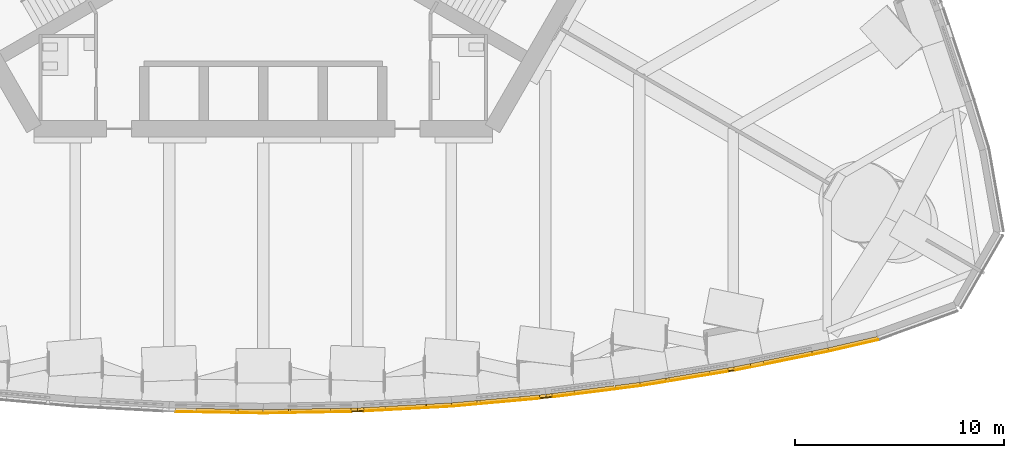
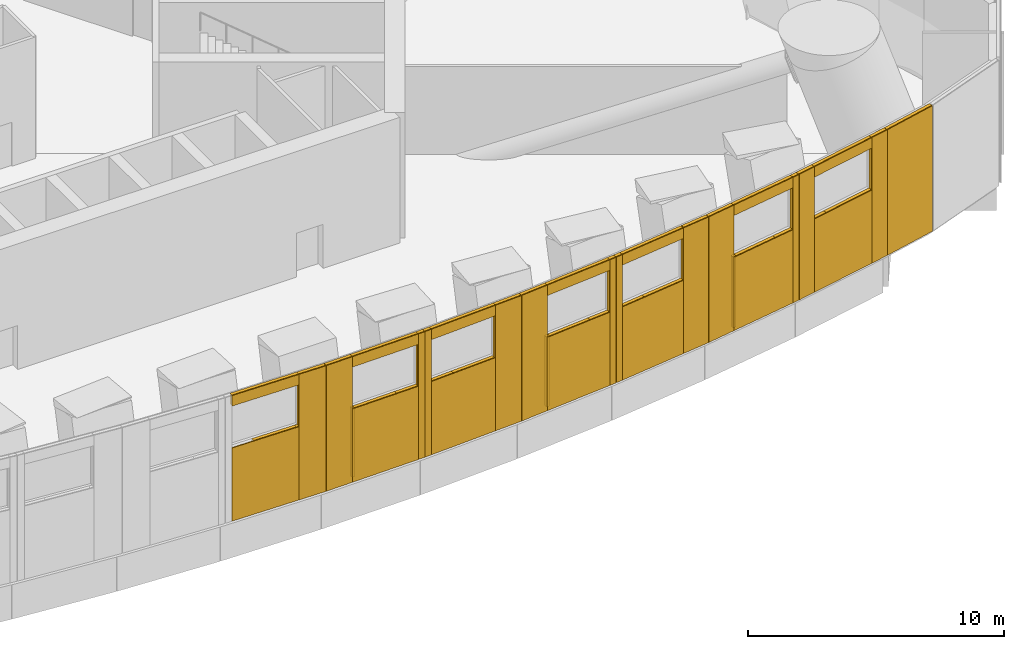
# One storey, part 14 of 25: 66 coverings.
"""IFC4 building model written with IfcOpenShell, lengths in metres."""

from ifc_helpers import new_model, si_unit, direction, frame, origin, origin_2d, place, context, subcontext, project, spatial, rectangle, extrude, material, layer, layer_set, type_object, element, save


model = new_model("IFC4")

# Units and contexts
model_context = context("Model", 3, precision=1e-05, world=origin(), true_north=direction((0.0, 1.0)))
body_context = subcontext(model_context, "Body", "Model", "MODEL_VIEW")
ifc_project = project(units=[si_unit("LENGTHUNIT", "METRE"), si_unit("AREAUNIT", "SQUARE_METRE"), si_unit("VOLUMEUNIT", "CUBIC_METRE"), si_unit("PLANEANGLEUNIT", "RADIAN"), si_unit("MASSUNIT", "GRAM", prefix="KILO")], contexts=[model_context])

# Site, building, storey
site_placement = place(None, origin())
site = spatial("IfcSite", under=ifc_project, at=site_placement, CompositionType="ELEMENT")
building_placement = place(site_placement, origin())
building = spatial("IfcBuilding", under=site, at=building_placement, Name="Trefoil Bronze Tower", CompositionType="ELEMENT")
storey_placement = place(building_placement, frame((0.0, 0.0, 178.699951171875)))
storey = spatial("IfcBuildingStorey", under=building, at=storey_placement, Name="L41", CompositionType="ELEMENT", Elevation=178.699951171875)

# Coverings
ifc_material_1 = material(Name="Bronze-finish aluminium rainscreen panel on aluminium rails", Category="aluminium")
ifc_layer_1 = layer(ifc_material_1, 0.0400390625)
ifc_layer_set_1 = layer_set([ifc_layer_1], Name="Bronze cladding panel 40")
covering_type_1 = type_object("IfcCoveringType", Name="Bronze cladding panel 40", PredefinedType="CLADDING", material=ifc_layer_set_1)
covering_1_placement = place(storey_placement, frame((-0.60595703125, -26.60888671875, 0.0), z_axis=(0.0, 0.0, 1.0), x_axis=(0.999837609324, -0.018020959525, 0.0)))
element("IfcCovering", 1, at=covering_1_placement, inside=storey, type_object=covering_type_1, Name="Cladding panel L41 Face 1.7 piece 2", PredefinedType="CLADDING", context=body_context, shape_type="SweptSolid", body=[
    extrude(rectangle(XDim=1.20068359375, YDim=0.0400390625, at=origin_2d()), origin(), (0.0, 0.0, 1.0), 6.0),
])
covering_2_placement = place(storey_placement, frame((-2.7060546875, -26.571044921875, 0.0), z_axis=(0.0, 0.0, 1.0), x_axis=(0.999837609324, -0.018020959525, 0.0)))
element("IfcCovering", 2, at=covering_2_placement, inside=storey, type_object=covering_type_1, Name="Cladding panel L41 Face 1.7 piece 3", PredefinedType="CLADDING", context=body_context, shape_type="SweptSolid", body=[
    extrude(rectangle(XDim=3.0, YDim=0.0400390625, at=origin_2d()), origin(), (0.0, 0.0, 1.0), 3.5),
])
covering_3_placement = place(storey_placement, frame((-2.7060546875, -26.571044921875, 5.5), z_axis=(0.0, 0.0, 1.0), x_axis=(0.999837609324, -0.018020959525, 0.0)))
element("IfcCovering", 3, at=covering_3_placement, inside=storey, type_object=covering_type_1, Name="Cladding panel L41 Face 1.7 piece 4", PredefinedType="CLADDING", context=body_context, shape_type="SweptSolid", body=[
    extrude(rectangle(XDim=3.0, YDim=0.0400390625, at=origin_2d()), origin(), (0.0, 0.0, 1.0), 0.5),
])
covering_4_placement = place(storey_placement, frame((0.60595703125, -26.60888671875, 0.0), z_axis=(0.0, 0.0, 1.0), x_axis=(0.999837609324, 0.018020959525, 0.0)))
element("IfcCovering", 4, at=covering_4_placement, inside=storey, type_object=covering_type_1, Name="Cladding panel L41 Face 1.8 piece 1", PredefinedType="CLADDING", context=body_context, shape_type="SweptSolid", body=[
    extrude(rectangle(XDim=1.20068359375, YDim=0.0400390625, at=origin_2d()), origin(), (0.0, 0.0, 1.0), 6.0),
])
covering_5_placement = place(storey_placement, frame((4.355712890625, -26.541259765625, 0.0), z_axis=(0.0, 0.0, 1.0), x_axis=(0.999837609324, 0.018020959525, 0.0)))
element("IfcCovering", 5, at=covering_5_placement, inside=storey, type_object=covering_type_1, Name="Cladding panel L41 Face 1.8 piece 2", PredefinedType="CLADDING", context=body_context, shape_type="SweptSolid", body=[
    extrude(rectangle(XDim=0.300048828125, YDim=0.0400390625, at=origin_2d()), origin(), (0.0, 0.0, 1.0), 6.0),
])
covering_6_placement = place(storey_placement, frame((2.7060546875, -26.571044921875, 0.0), z_axis=(0.0, 0.0, 1.0), x_axis=(0.999837609324, 0.018020959525, 0.0)))
element("IfcCovering", 6, at=covering_6_placement, inside=storey, type_object=covering_type_1, Name="Cladding panel L41 Face 1.8 piece 3", PredefinedType="CLADDING", context=body_context, shape_type="SweptSolid", body=[
    extrude(rectangle(XDim=3.0, YDim=0.0400390625, at=origin_2d()), origin(), (0.0, 0.0, 1.0), 3.5),
])
covering_7_placement = place(storey_placement, frame((2.7060546875, -26.571044921875, 5.5), z_axis=(0.0, 0.0, 1.0), x_axis=(0.999837609324, 0.018020959525, 0.0)))
element("IfcCovering", 7, at=covering_7_placement, inside=storey, type_object=covering_type_1, Name="Cladding panel L41 Face 1.8 piece 4", PredefinedType="CLADDING", context=body_context, shape_type="SweptSolid", body=[
    extrude(rectangle(XDim=3.0, YDim=0.0400390625, at=origin_2d()), origin(), (0.0, 0.0, 1.0), 0.5),
])
covering_8_placement = place(storey_placement, frame((4.6669921875, -26.530029296875, 0.0), z_axis=(0.0, 0.0, 1.0), x_axis=(0.998537531917, 0.054062901823, 0.0)))
element("IfcCovering", 8, at=covering_8_placement, inside=storey, type_object=covering_type_1, Name="Cladding panel L41 Face 1.9 piece 1", PredefinedType="CLADDING", context=body_context, shape_type="SweptSolid", body=[
    extrude(rectangle(XDim=0.300048828125, YDim=0.0400390625, at=origin_2d()), origin(), (0.0, 0.0, 1.0), 6.0),
])
covering_9_placement = place(storey_placement, frame((8.414794921875, -26.3271484375, 0.0), z_axis=(0.0, 0.0, 1.0), x_axis=(0.998537531917, 0.054062901823, 0.0)))
element("IfcCovering", 9, at=covering_9_placement, inside=storey, type_object=covering_type_1, Name="Cladding panel L41 Face 1.9 piece 2", PredefinedType="CLADDING", context=body_context, shape_type="SweptSolid", body=[
    extrude(rectangle(XDim=1.20654296875, YDim=0.0400390625, at=origin_2d()), origin(), (0.0, 0.0, 1.0), 6.0),
])
covering_10_placement = place(storey_placement, frame((6.314697265625, -26.440673828125, 0.0), z_axis=(0.0, 0.0, 1.0), x_axis=(0.998537531917, 0.054062901823, 0.0)))
element("IfcCovering", 10, at=covering_10_placement, inside=storey, type_object=covering_type_1, Name="Cladding panel L41 Face 1.9 piece 3", PredefinedType="CLADDING", context=body_context, shape_type="SweptSolid", body=[
    extrude(rectangle(XDim=3.0, YDim=0.0400390625, at=origin_2d()), origin(), (0.0, 0.0, 1.0), 3.5),
])
covering_11_placement = place(storey_placement, frame((6.314697265625, -26.440673828125, 5.5), z_axis=(0.0, 0.0, 1.0), x_axis=(0.998537531917, 0.054062901823, 0.0)))
element("IfcCovering", 11, at=covering_11_placement, inside=storey, type_object=covering_type_1, Name="Cladding panel L41 Face 1.9 piece 4", PredefinedType="CLADDING", context=body_context, shape_type="SweptSolid", body=[
    extrude(rectangle(XDim=3.0, YDim=0.0400390625, at=origin_2d()), origin(), (0.0, 0.0, 1.0), 0.5),
])
covering_12_placement = place(storey_placement, frame((9.635498046875, -26.23876953125, 0.0), z_axis=(0.0, 0.0, 1.0), x_axis=(0.995932279157, 0.090104912923, 0.0)))
element("IfcCovering", 12, at=covering_12_placement, inside=storey, type_object=covering_type_1, Name="Cladding panel L41 Face 1.10 piece 1", PredefinedType="CLADDING", context=body_context, shape_type="SweptSolid", body=[
    extrude(rectangle(XDim=1.21826171875, YDim=0.0400390625, at=origin_2d()), origin(), (0.0, 0.0, 1.0), 6.0),
])
covering_13_placement = place(storey_placement, frame((13.37939453125, -25.89990234375, 0.0), z_axis=(0.0, 0.0, 1.0), x_axis=(0.995932279157, 0.090104912923, 0.0)))
element("IfcCovering", 13, at=covering_13_placement, inside=storey, type_object=covering_type_1, Name="Cladding panel L41 Face 1.10 piece 2", PredefinedType="CLADDING", context=body_context, shape_type="SweptSolid", body=[
    extrude(rectangle(XDim=0.300048828125, YDim=0.0400390625, at=origin_2d()), origin(), (0.0, 0.0, 1.0), 6.0),
])
covering_14_placement = place(storey_placement, frame((11.736083984375, -26.048583984375, 0.0), z_axis=(0.0, 0.0, 1.0), x_axis=(0.995932279157, 0.090104912923, 0.0)))
element("IfcCovering", 14, at=covering_14_placement, inside=storey, type_object=covering_type_1, Name="Cladding panel L41 Face 1.10 piece 3", PredefinedType="CLADDING", context=body_context, shape_type="SweptSolid", body=[
    extrude(rectangle(XDim=3.0, YDim=0.0400390625, at=origin_2d()), origin(), (0.0, 0.0, 1.0), 3.5),
])
covering_15_placement = place(storey_placement, frame((11.736083984375, -26.048583984375, 5.5), z_axis=(0.0, 0.0, 1.0), x_axis=(0.995932279157, 0.090104912923, 0.0)))
element("IfcCovering", 15, at=covering_15_placement, inside=storey, type_object=covering_type_1, Name="Cladding panel L41 Face 1.10 piece 4", PredefinedType="CLADDING", context=body_context, shape_type="SweptSolid", body=[
    extrude(rectangle(XDim=3.0, YDim=0.0400390625, at=origin_2d()), origin(), (0.0, 0.0, 1.0), 0.5),
])
covering_16_placement = place(storey_placement, frame((13.689208984375, -25.8662109375, 0.0), z_axis=(0.0, 0.0, 1.0), x_axis=(0.992011554286, 0.126147041833, 0.0)))
element("IfcCovering", 16, at=covering_16_placement, inside=storey, type_object=covering_type_1, Name="Cladding panel L41 Face 1.11 piece 1", PredefinedType="CLADDING", context=body_context, shape_type="SweptSolid", body=[
    extrude(rectangle(XDim=0.300048828125, YDim=0.0400390625, at=origin_2d()), origin(), (0.0, 0.0, 1.0), 6.0),
])
covering_17_placement = place(storey_placement, frame((17.42724609375, -25.390869140625, 0.0), z_axis=(0.0, 0.0, 1.0), x_axis=(0.992011554286, 0.126147041833, 0.0)))
element("IfcCovering", 17, at=covering_17_placement, inside=storey, type_object=covering_type_1, Name="Cladding panel L41 Face 1.11 piece 2", PredefinedType="CLADDING", context=body_context, shape_type="SweptSolid", body=[
    extrude(rectangle(XDim=1.236328125, YDim=0.0400390625, at=origin_2d()), origin(), (0.0, 0.0, 1.0), 6.0),
])
covering_18_placement = place(storey_placement, frame((15.325927734375, -25.658203125, 0.0), z_axis=(0.0, 0.0, 1.0), x_axis=(0.992011554286, 0.126147041833, 0.0)))
element("IfcCovering", 18, at=covering_18_placement, inside=storey, type_object=covering_type_1, Name="Cladding panel L41 Face 1.11 piece 3", PredefinedType="CLADDING", context=body_context, shape_type="SweptSolid", body=[
    extrude(rectangle(XDim=3.0, YDim=0.0400390625, at=origin_2d()), origin(), (0.0, 0.0, 1.0), 3.5),
])
covering_19_placement = place(storey_placement, frame((15.325927734375, -25.658203125, 5.5), z_axis=(0.0, 0.0, 1.0), x_axis=(0.992011554286, 0.126147041833, 0.0)))
element("IfcCovering", 19, at=covering_19_placement, inside=storey, type_object=covering_type_1, Name="Cladding panel L41 Face 1.11 piece 4", PredefinedType="CLADDING", context=body_context, shape_type="SweptSolid", body=[
    extrude(rectangle(XDim=3.0, YDim=0.0400390625, at=origin_2d()), origin(), (0.0, 0.0, 1.0), 0.5),
])
covering_20_placement = place(storey_placement, frame((18.673828125, -25.209228515625, 0.0), z_axis=(0.0, 0.0, 1.0), x_axis=(0.98675965574, 0.162189339366, 0.0)))
element("IfcCovering", 20, at=covering_20_placement, inside=storey, type_object=covering_type_1, Name="Cladding panel L41 Face 1.12 piece 1", PredefinedType="CLADDING", context=body_context, shape_type="SweptSolid", body=[
    extrude(rectangle(XDim=1.260498046875, YDim=0.0400390625, at=origin_2d()), origin(), (0.0, 0.0, 1.0), 6.0),
])
covering_21_placement = place(storey_placement, frame((22.40380859375, -24.595947265625, 0.0), z_axis=(0.0, 0.0, 1.0), x_axis=(0.98675965574, 0.162189339366, 0.0)))
element("IfcCovering", 21, at=covering_21_placement, inside=storey, type_object=covering_type_1, Name="Cladding panel L41 Face 1.12 piece 2", PredefinedType="CLADDING", context=body_context, shape_type="SweptSolid", body=[
    extrude(rectangle(XDim=0.300048828125, YDim=0.0400390625, at=origin_2d()), origin(), (0.0, 0.0, 1.0), 6.0),
])
covering_22_placement = place(storey_placement, frame((20.775634765625, -24.863525390625, 0.0), z_axis=(0.0, 0.0, 1.0), x_axis=(0.98675965574, 0.162189339366, 0.0)))
element("IfcCovering", 22, at=covering_22_placement, inside=storey, type_object=covering_type_1, Name="Cladding panel L41 Face 1.12 piece 3", PredefinedType="CLADDING", context=body_context, shape_type="SweptSolid", body=[
    extrude(rectangle(XDim=3.0, YDim=0.0400390625, at=origin_2d()), origin(), (0.0, 0.0, 1.0), 3.5),
])
covering_23_placement = place(storey_placement, frame((20.775634765625, -24.863525390625, 5.5), z_axis=(0.0, 0.0, 1.0), x_axis=(0.98675965574, 0.162189339366, 0.0)))
element("IfcCovering", 23, at=covering_23_placement, inside=storey, type_object=covering_type_1, Name="Cladding panel L41 Face 1.12 piece 4", PredefinedType="CLADDING", context=body_context, shape_type="SweptSolid", body=[
    extrude(rectangle(XDim=3.0, YDim=0.0400390625, at=origin_2d()), origin(), (0.0, 0.0, 1.0), 0.5),
])
for number, where, z_axis, x_axis, name in (
    (24, (22.953369140625, -24.49072265625, 0.0), (0.0, 0.0, 1.0), (0.980155155537, 0.198231861904, 0.0), "Cladding panel L41 Face 1.13 piece 1"),
    (25, (26.673583984375, -23.73828125, 0.0), (0.0, 0.0, 1.0), (0.980155155537, 0.198231861904, 0.0), "Cladding panel L41 Face 1.13 piece 2"),
):
    element("IfcCovering", number, at=place(storey_placement, frame(where, z_axis=z_axis, x_axis=x_axis)), inside=storey, type_object=covering_type_1, Name=name, PredefinedType="CLADDING", context=body_context, shape_type="SweptSolid", body=[
        extrude(rectangle(XDim=0.795654296875, YDim=0.0400390625, at=origin_2d()), origin(), (0.0, 0.0, 1.0), 6.0),
    ])
covering_24_placement = place(storey_placement, frame((24.8134765625, -24.114501953125, 0.0), z_axis=(0.0, 0.0, 1.0), x_axis=(0.980155155537, 0.198231861904, 0.0)))
element("IfcCovering", 26, at=covering_24_placement, inside=storey, type_object=covering_type_1, Name="Cladding panel L41 Face 1.13 piece 3", PredefinedType="CLADDING", context=body_context, shape_type="SweptSolid", body=[
    extrude(rectangle(XDim=3.0, YDim=0.0400390625, at=origin_2d()), origin(), (0.0, 0.0, 1.0), 3.5),
])
covering_25_placement = place(storey_placement, frame((24.8134765625, -24.114501953125, 5.5), z_axis=(0.0, 0.0, 1.0), x_axis=(0.980155155537, 0.198231861904, 0.0)))
element("IfcCovering", 27, at=covering_25_placement, inside=storey, type_object=covering_type_1, Name="Cladding panel L41 Face 1.13 piece 4", PredefinedType="CLADDING", context=body_context, shape_type="SweptSolid", body=[
    extrude(rectangle(XDim=3.0, YDim=0.0400390625, at=origin_2d()), origin(), (0.0, 0.0, 1.0), 0.5),
])
covering_26_placement = place(storey_placement, frame((28.2509765625, -23.384521484375, 0.0), z_axis=(0.0, 0.0, 1.0), x_axis=(0.974204447126, 0.225667222253, 0.0)))
element("IfcCovering", 28, at=covering_26_placement, inside=storey, type_object=covering_type_1, Name="Cladding panel L41 Face 1.14 piece 1", PredefinedType="CLADDING", context=body_context, shape_type="SweptSolid", body=[
    extrude(rectangle(XDim=2.420166015625, YDim=0.0400390625, at=origin_2d()), origin(), (0.0, 0.0, 1.0), 6.0),
])
ifc_material_2 = material(Name="Non-combustible mineral wool slab", Category="insulation")
ifc_layer_2 = layer(ifc_material_2, 0.14990234375)
ifc_layer_set_2 = layer_set([ifc_layer_2], Name="Rainscreen insulation 150")
covering_type_2 = type_object("IfcCoveringType", Name="Rainscreen insulation 150", PredefinedType="INSULATION", material=ifc_layer_set_2)
covering_27_placement = place(storey_placement, frame((-0.604248046875, -26.513916015625, 0.1953125), z_axis=(0.0, 0.0, 1.0), x_axis=(0.999837609324, -0.018020959525, 0.0)))
element("IfcCovering", 29, at=covering_27_placement, inside=storey, type_object=covering_type_2, Name="Insulation L41 Face 1.7 piece 2", PredefinedType="INSULATION", context=body_context, shape_type="SweptSolid", body=[
    extrude(rectangle(XDim=1.20068359375, YDim=0.14990234375, at=origin_2d()), origin(), (0.0, 0.0, 1.0), 5.804931640625),
])
covering_28_placement = place(storey_placement, frame((-2.266845703125, -26.48388671875, 0.0), z_axis=(0.0, 0.0, 1.0), x_axis=(0.999837609324, -0.018020959525, 0.0)))
element("IfcCovering", 30, at=covering_28_placement, inside=storey, type_object=covering_type_2, Name="Insulation L41 Face 1.7 piece 3 part 2", PredefinedType="INSULATION", context=body_context, shape_type="SweptSolid", body=[
    extrude(rectangle(XDim=1.9150390625, YDim=0.14990234375, at=origin_2d()), origin(), (0.0, 0.0, 1.0), 3.5),
])
covering_29_placement = place(storey_placement, frame((-1.257080078125, -26.501953125, 0.2001953125), z_axis=(0.0, 0.0, 1.0), x_axis=(0.999837609324, -0.018020959525, 0.0)))
element("IfcCovering", 31, at=covering_29_placement, inside=storey, type_object=covering_type_2, Name="Insulation L41 Face 1.7 piece 3 part 3", PredefinedType="INSULATION", context=body_context, shape_type="SweptSolid", body=[
    extrude(rectangle(XDim=0.10498046875, YDim=0.14990234375, at=origin_2d()), origin(), (0.0, 0.0, 1.0), 3.300048828125),
])
covering_30_placement = place(storey_placement, frame((-2.704345703125, -26.47607421875, 5.5), z_axis=(0.0, 0.0, 1.0), x_axis=(0.999837609324, -0.018020959525, 0.0)))
element("IfcCovering", 32, at=covering_30_placement, inside=storey, type_object=covering_type_2, Name="Insulation L41 Face 1.7 piece 4", PredefinedType="INSULATION", context=body_context, shape_type="SweptSolid", body=[
    extrude(rectangle(XDim=3.0, YDim=0.14990234375, at=origin_2d()), origin(), (0.0, 0.0, 1.0), 0.5),
])
covering_31_placement = place(storey_placement, frame((0.604248046875, -26.513916015625, 0.1953125), z_axis=(0.0, 0.0, 1.0), x_axis=(0.999837609324, 0.018020959525, 0.0)))
element("IfcCovering", 33, at=covering_31_placement, inside=storey, type_object=covering_type_2, Name="Insulation L41 Face 1.8 piece 1", PredefinedType="INSULATION", context=body_context, shape_type="SweptSolid", body=[
    extrude(rectangle(XDim=1.20068359375, YDim=0.14990234375, at=origin_2d()), origin(), (0.0, 0.0, 1.0), 5.804931640625),
])
covering_32_placement = place(storey_placement, frame((4.35400390625, -26.4462890625, 0.125), z_axis=(0.0, 0.0, 1.0), x_axis=(0.999837609324, 0.018020959525, 0.0)))
element("IfcCovering", 34, at=covering_32_placement, inside=storey, type_object=covering_type_2, Name="Insulation L41 Face 1.8 piece 2", PredefinedType="INSULATION", context=body_context, shape_type="SweptSolid", body=[
    extrude(rectangle(XDim=0.300048828125, YDim=0.14990234375, at=origin_2d()), origin(), (0.0, 0.0, 1.0), 5.875),
])
covering_33_placement = place(storey_placement, frame((1.257080078125, -26.501953125, 0.2001953125), z_axis=(0.0, 0.0, 1.0), x_axis=(0.999837609324, 0.018020959525, 0.0)))
element("IfcCovering", 35, at=covering_33_placement, inside=storey, type_object=covering_type_2, Name="Insulation L41 Face 1.8 piece 3", PredefinedType="INSULATION", context=body_context, shape_type="SweptSolid", body=[
    extrude(rectangle(XDim=0.10498046875, YDim=0.14990234375, at=origin_2d()), origin(), (0.0, 0.0, 1.0), 3.300048828125),
])
covering_34_placement = place(storey_placement, frame((2.267822265625, -26.48388671875, 0.0), z_axis=(0.0, 0.0, 1.0), x_axis=(0.999837609324, 0.018020959525, 0.0)))
element("IfcCovering", 36, at=covering_34_placement, inside=storey, type_object=covering_type_2, Name="Insulation L41 Face 1.8 piece 3 part 2", PredefinedType="INSULATION", context=body_context, shape_type="SweptSolid", body=[
    extrude(rectangle(XDim=1.916748046875, YDim=0.14990234375, at=origin_2d()), origin(), (0.0, 0.0, 1.0), 3.5),
])
covering_35_placement = place(storey_placement, frame((3.715087890625, -26.457763671875, 0.22509765625), z_axis=(0.0, 0.0, 1.0), x_axis=(0.999837609324, 0.018020959525, 0.0)))
element("IfcCovering", 37, at=covering_35_placement, inside=storey, type_object=covering_type_2, Name="Insulation L41 Face 1.8 piece 3 part 3", PredefinedType="INSULATION", context=body_context, shape_type="SweptSolid", body=[
    extrude(rectangle(XDim=0.978271484375, YDim=0.14990234375, at=origin_2d()), origin(), (0.0, 0.0, 1.0), 3.27490234375),
])
covering_36_placement = place(storey_placement, frame((2.704345703125, -26.47607421875, 5.5), z_axis=(0.0, 0.0, 1.0), x_axis=(0.999837609324, 0.018020959525, 0.0)))
element("IfcCovering", 38, at=covering_36_placement, inside=storey, type_object=covering_type_2, Name="Insulation L41 Face 1.8 piece 4", PredefinedType="INSULATION", context=body_context, shape_type="SweptSolid", body=[
    extrude(rectangle(XDim=3.0, YDim=0.14990234375, at=origin_2d()), origin(), (0.0, 0.0, 1.0), 0.5),
])
covering_37_placement = place(storey_placement, frame((4.661865234375, -26.43505859375, 0.10986328125), z_axis=(0.0, 0.0, 1.0), x_axis=(0.998537531917, 0.054062901823, 0.0)))
element("IfcCovering", 39, at=covering_37_placement, inside=storey, type_object=covering_type_2, Name="Insulation L41 Face 1.9 piece 1", PredefinedType="INSULATION", context=body_context, shape_type="SweptSolid", body=[
    extrude(rectangle(XDim=0.300048828125, YDim=0.14990234375, at=origin_2d()), origin(), (0.0, 0.0, 1.0), 5.889892578125),
])
covering_38_placement = place(storey_placement, frame((8.40966796875, -26.232177734375, 0.2451171875), z_axis=(0.0, 0.0, 1.0), x_axis=(0.998537531917, 0.054062901823, 0.0)))
element("IfcCovering", 40, at=covering_38_placement, inside=storey, type_object=covering_type_2, Name="Insulation L41 Face 1.9 piece 2", PredefinedType="INSULATION", context=body_context, shape_type="SweptSolid", body=[
    extrude(rectangle(XDim=1.20654296875, YDim=0.14990234375, at=origin_2d()), origin(), (0.0, 0.0, 1.0), 5.7548828125),
])
covering_39_placement = place(storey_placement, frame((5.325927734375, -26.399169921875, 0.17529296875), z_axis=(0.0, 0.0, 1.0), x_axis=(0.998537531917, 0.054062901823, 0.0)))
element("IfcCovering", 41, at=covering_39_placement, inside=storey, type_object=covering_type_2, Name="Insulation L41 Face 1.9 piece 3", PredefinedType="INSULATION", context=body_context, shape_type="SweptSolid", body=[
    extrude(rectangle(XDim=1.030029296875, YDim=0.14990234375, at=origin_2d()), origin(), (0.0, 0.0, 1.0), 3.324951171875),
])
covering_40_placement = place(storey_placement, frame((6.80126953125, -26.3193359375, 0.0), z_axis=(0.0, 0.0, 1.0), x_axis=(0.998537531917, 0.054062901823, 0.0)))
element("IfcCovering", 42, at=covering_40_placement, inside=storey, type_object=covering_type_2, Name="Insulation L41 Face 1.9 piece 3 part 2", PredefinedType="INSULATION", context=body_context, shape_type="SweptSolid", body=[
    extrude(rectangle(XDim=1.925048828125, YDim=0.14990234375, at=origin_2d()), origin(), (0.0, 0.0, 1.0), 3.5),
])
covering_41_placement = place(storey_placement, frame((6.3095703125, -26.345947265625, 5.5), z_axis=(0.0, 0.0, 1.0), x_axis=(0.998537531917, 0.054062901823, 0.0)))
element("IfcCovering", 43, at=covering_41_placement, inside=storey, type_object=covering_type_2, Name="Insulation L41 Face 1.9 piece 4", PredefinedType="INSULATION", context=body_context, shape_type="SweptSolid", body=[
    extrude(rectangle(XDim=3.0, YDim=0.14990234375, at=origin_2d()), origin(), (0.0, 0.0, 1.0), 0.5),
])
covering_42_placement = place(storey_placement, frame((9.626953125, -26.14404296875, 0.14013671875), z_axis=(0.0, 0.0, 1.0), x_axis=(0.995932279157, 0.090104912923, 0.0)))
element("IfcCovering", 44, at=covering_42_placement, inside=storey, type_object=covering_type_2, Name="Insulation L41 Face 1.10 piece 1", PredefinedType="INSULATION", context=body_context, shape_type="SweptSolid", body=[
    extrude(rectangle(XDim=1.21826171875, YDim=0.14990234375, at=origin_2d()), origin(), (0.0, 0.0, 1.0), 5.860107421875),
])
covering_43_placement = place(storey_placement, frame((13.370849609375, -25.805419921875, 0.14501953125), z_axis=(0.0, 0.0, 1.0), x_axis=(0.995932279157, 0.090104912923, 0.0)))
element("IfcCovering", 45, at=covering_43_placement, inside=storey, type_object=covering_type_2, Name="Insulation L41 Face 1.10 piece 2", PredefinedType="INSULATION", context=body_context, shape_type="SweptSolid", body=[
    extrude(rectangle(XDim=0.300048828125, YDim=0.14990234375, at=origin_2d()), origin(), (0.0, 0.0, 1.0), 5.85498046875),
])
covering_44_placement = place(storey_placement, frame((10.303466796875, -26.0830078125, 0.14501953125), z_axis=(0.0, 0.0, 1.0), x_axis=(0.995932279157, 0.090104912923, 0.0)))
element("IfcCovering", 46, at=covering_44_placement, inside=storey, type_object=covering_type_2, Name="Insulation L41 Face 1.10 piece 3", PredefinedType="INSULATION", context=body_context, shape_type="SweptSolid", body=[
    extrude(rectangle(XDim=0.139892578125, YDim=0.14990234375, at=origin_2d()), origin(), (0.0, 0.0, 1.0), 3.35498046875),
])
covering_45_placement = place(storey_placement, frame((11.3349609375, -25.989501953125, 0.0), z_axis=(0.0, 0.0, 1.0), x_axis=(0.995932279157, 0.090104912923, 0.0)))
element("IfcCovering", 47, at=covering_45_placement, inside=storey, type_object=covering_type_2, Name="Insulation L41 Face 1.10 piece 3 part 2", PredefinedType="INSULATION", context=body_context, shape_type="SweptSolid", body=[
    extrude(rectangle(XDim=1.931396484375, YDim=0.14990234375, at=origin_2d()), origin(), (0.0, 0.0, 1.0), 3.5),
])
covering_46_placement = place(storey_placement, frame((12.759033203125, -25.86083984375, 0.27001953125), z_axis=(0.0, 0.0, 1.0), x_axis=(0.995932279157, 0.090104912923, 0.0)))
element("IfcCovering", 48, at=covering_46_placement, inside=storey, type_object=covering_type_2, Name="Insulation L41 Face 1.10 piece 3 part 3", PredefinedType="INSULATION", context=body_context, shape_type="SweptSolid", body=[
    extrude(rectangle(XDim=0.9287109375, YDim=0.14990234375, at=origin_2d()), origin(), (0.0, 0.0, 1.0), 3.22998046875),
])
covering_47_placement = place(storey_placement, frame((11.7275390625, -25.9541015625, 5.5), z_axis=(0.0, 0.0, 1.0), x_axis=(0.995932279157, 0.090104912923, 0.0)))
element("IfcCovering", 49, at=covering_47_placement, inside=storey, type_object=covering_type_2, Name="Insulation L41 Face 1.10 piece 4", PredefinedType="INSULATION", context=body_context, shape_type="SweptSolid", body=[
    extrude(rectangle(XDim=3.0, YDim=0.14990234375, at=origin_2d()), origin(), (0.0, 0.0, 1.0), 0.5),
])
covering_48_placement = place(storey_placement, frame((13.67724609375, -25.77197265625, 0.10986328125), z_axis=(0.0, 0.0, 1.0), x_axis=(0.992011554286, 0.126147041833, 0.0)))
element("IfcCovering", 50, at=covering_48_placement, inside=storey, type_object=covering_type_2, Name="Insulation L41 Face 1.11 piece 1", PredefinedType="INSULATION", context=body_context, shape_type="SweptSolid", body=[
    extrude(rectangle(XDim=0.300048828125, YDim=0.14990234375, at=origin_2d()), origin(), (0.0, 0.0, 1.0), 5.889892578125),
])
covering_49_placement = place(storey_placement, frame((17.429931640625, -25.294921875, 0.2802734375), z_axis=(0.0, 0.0, 1.0), x_axis=(0.992011554286, 0.126147041833, 0.0)))
element("IfcCovering", 51, at=covering_49_placement, inside=storey, type_object=covering_type_2, Name="Insulation L41 Face 1.11 piece 2", PredefinedType="INSULATION", context=body_context, shape_type="SweptSolid", body=[
    extrude(rectangle(XDim=1.206298828125, YDim=0.14990234375, at=origin_2d()), origin(), (0.0, 0.0, 1.0), 5.719970703125),
])
covering_50_placement = place(storey_placement, frame((14.3642578125, -25.684814453125, 0.125), z_axis=(0.0, 0.0, 1.0), x_axis=(0.992011554286, 0.126147041833, 0.0)))
element("IfcCovering", 52, at=covering_50_placement, inside=storey, type_object=covering_type_2, Name="Insulation L41 Face 1.11 piece 3", PredefinedType="INSULATION", context=body_context, shape_type="SweptSolid", body=[
    extrude(rectangle(XDim=1.0849609375, YDim=0.14990234375, at=origin_2d()), origin(), (0.0, 0.0, 1.0), 3.375),
])
covering_51_placement = place(storey_placement, frame((15.85205078125, -25.49560546875, 0.0), z_axis=(0.0, 0.0, 1.0), x_axis=(0.992011554286, 0.126147041833, 0.0)))
element("IfcCovering", 53, at=covering_51_placement, inside=storey, type_object=covering_type_2, Name="Insulation L41 Face 1.11 piece 3 part 2", PredefinedType="INSULATION", context=body_context, shape_type="SweptSolid", body=[
    extrude(rectangle(XDim=1.9150390625, YDim=0.14990234375, at=origin_2d()), origin(), (0.0, 0.0, 1.0), 3.5),
])
covering_52_placement = place(storey_placement, frame((15.31396484375, -25.56396484375, 5.5), z_axis=(0.0, 0.0, 1.0), x_axis=(0.992011554286, 0.126147041833, 0.0)))
element("IfcCovering", 54, at=covering_52_placement, inside=storey, type_object=covering_type_2, Name="Insulation L41 Face 1.11 piece 4", PredefinedType="INSULATION", context=body_context, shape_type="SweptSolid", body=[
    extrude(rectangle(XDim=3.0, YDim=0.14990234375, at=origin_2d()), origin(), (0.0, 0.0, 1.0), 0.5),
])
covering_53_placement = place(storey_placement, frame((18.658447265625, -25.115478515625, 0.115234375), z_axis=(0.0, 0.0, 1.0), x_axis=(0.98675965574, 0.162189339366, 0.0)))
element("IfcCovering", 55, at=covering_53_placement, inside=storey, type_object=covering_type_2, Name="Insulation L41 Face 1.12 piece 1", PredefinedType="INSULATION", context=body_context, shape_type="SweptSolid", body=[
    extrude(rectangle(XDim=1.260498046875, YDim=0.14990234375, at=origin_2d()), origin(), (0.0, 0.0, 1.0), 5.885009765625),
])
covering_54_placement = place(storey_placement, frame((22.388427734375, -24.502197265625, 0.169921875), z_axis=(0.0, 0.0, 1.0), x_axis=(0.98675965574, 0.162189339366, 0.0)))
element("IfcCovering", 56, at=covering_54_placement, inside=storey, type_object=covering_type_2, Name="Insulation L41 Face 1.12 piece 2", PredefinedType="INSULATION", context=body_context, shape_type="SweptSolid", body=[
    extrude(rectangle(XDim=0.300048828125, YDim=0.14990234375, at=origin_2d()), origin(), (0.0, 0.0, 1.0), 5.830078125),
])
covering_55_placement = place(storey_placement, frame((19.354248046875, -25.0009765625, 0.10986328125), z_axis=(0.0, 0.0, 1.0), x_axis=(0.98675965574, 0.162189339366, 0.0)))
element("IfcCovering", 57, at=covering_55_placement, inside=storey, type_object=covering_type_2, Name="Insulation L41 Face 1.12 piece 3", PredefinedType="INSULATION", context=body_context, shape_type="SweptSolid", body=[
    extrude(rectangle(XDim=0.14990234375, YDim=0.14990234375, at=origin_2d()), origin(), (0.0, 0.0, 1.0), 3.389892578125),
])
covering_56_placement = place(storey_placement, frame((20.399169921875, -24.829345703125, 0.0), z_axis=(0.0, 0.0, 1.0), x_axis=(0.98675965574, 0.162189339366, 0.0)))
element("IfcCovering", 58, at=covering_56_placement, inside=storey, type_object=covering_type_2, Name="Insulation L41 Face 1.12 piece 3 part 2", PredefinedType="INSULATION", context=body_context, shape_type="SweptSolid", body=[
    extrude(rectangle(XDim=1.968017578125, YDim=0.14990234375, at=origin_2d()), origin(), (0.0, 0.0, 1.0), 3.5),
])
covering_57_placement = place(storey_placement, frame((21.805419921875, -24.59814453125, 0.2900390625), z_axis=(0.0, 0.0, 1.0), x_axis=(0.98675965574, 0.162189339366, 0.0)))
element("IfcCovering", 59, at=covering_57_placement, inside=storey, type_object=covering_type_2, Name="Insulation L41 Face 1.12 piece 3 part 3", PredefinedType="INSULATION", context=body_context, shape_type="SweptSolid", body=[
    extrude(rectangle(XDim=0.882080078125, YDim=0.14990234375, at=origin_2d()), origin(), (0.0, 0.0, 1.0), 3.2099609375),
])
covering_58_placement = place(storey_placement, frame((20.76025390625, -24.769775390625, 5.5), z_axis=(0.0, 0.0, 1.0), x_axis=(0.98675965574, 0.162189339366, 0.0)))
element("IfcCovering", 60, at=covering_58_placement, inside=storey, type_object=covering_type_2, Name="Insulation L41 Face 1.12 piece 4", PredefinedType="INSULATION", context=body_context, shape_type="SweptSolid", body=[
    extrude(rectangle(XDim=3.0, YDim=0.14990234375, at=origin_2d()), origin(), (0.0, 0.0, 1.0), 0.5),
])
covering_59_placement = place(storey_placement, frame((22.9345703125, -24.397705078125, 0.1298828125), z_axis=(0.0, 0.0, 1.0), x_axis=(0.980155155537, 0.198231861904, 0.0)))
element("IfcCovering", 61, at=covering_59_placement, inside=storey, type_object=covering_type_2, Name="Insulation L41 Face 1.13 piece 1", PredefinedType="INSULATION", context=body_context, shape_type="SweptSolid", body=[
    extrude(rectangle(XDim=0.795654296875, YDim=0.14990234375, at=origin_2d()), origin(), (0.0, 0.0, 1.0), 5.8701171875),
])
covering_60_placement = place(storey_placement, frame((26.65478515625, -23.645263671875, 0.0), z_axis=(0.0, 0.0, 1.0), x_axis=(0.980155155537, 0.198231861904, 0.0)))
element("IfcCovering", 62, at=covering_60_placement, inside=storey, type_object=covering_type_2, Name="Insulation L41 Face 1.13 piece 2", PredefinedType="INSULATION", context=body_context, shape_type="SweptSolid", body=[
    extrude(rectangle(XDim=0.795654296875, YDim=0.14990234375, at=origin_2d()), origin(), (0.0, 0.0, 1.0), 6.0),
])
covering_61_placement = place(storey_placement, frame((23.637939453125, -24.25537109375, 0.115234375), z_axis=(0.0, 0.0, 1.0), x_axis=(0.980155155537, 0.198231861904, 0.0)))
element("IfcCovering", 63, at=covering_61_placement, inside=storey, type_object=covering_type_2, Name="Insulation L41 Face 1.13 piece 3", PredefinedType="INSULATION", context=body_context, shape_type="SweptSolid", body=[
    extrude(rectangle(XDim=0.639892578125, YDim=0.14990234375, at=origin_2d()), origin(), (0.0, 0.0, 1.0), 3.385009765625),
])
covering_62_placement = place(storey_placement, frame((25.108154296875, -23.9580078125, 0.0), z_axis=(0.0, 0.0, 1.0), x_axis=(0.980155155537, 0.198231861904, 0.0)))
element("IfcCovering", 64, at=covering_62_placement, inside=storey, type_object=covering_type_2, Name="Insulation L41 Face 1.13 piece 3 part 2", PredefinedType="INSULATION", context=body_context, shape_type="SweptSolid", body=[
    extrude(rectangle(XDim=2.360107421875, YDim=0.14990234375, at=origin_2d()), origin(), (0.0, 0.0, 1.0), 3.5),
])
covering_63_placement = place(storey_placement, frame((24.794677734375, -24.021484375, 5.5), z_axis=(0.0, 0.0, 1.0), x_axis=(0.980155155537, 0.198231861904, 0.0)))
element("IfcCovering", 65, at=covering_63_placement, inside=storey, type_object=covering_type_2, Name="Insulation L41 Face 1.13 piece 4", PredefinedType="INSULATION", context=body_context, shape_type="SweptSolid", body=[
    extrude(rectangle(XDim=3.0, YDim=0.14990234375, at=origin_2d()), origin(), (0.0, 0.0, 1.0), 0.5),
])
covering_64_placement = place(storey_placement, frame((28.229736328125, -23.2919921875, 0.0), z_axis=(0.0, 0.0, 1.0), x_axis=(0.974204447126, 0.225667222253, 0.0)))
element("IfcCovering", 66, at=covering_64_placement, inside=storey, type_object=covering_type_2, Name="Insulation L41 Face 1.14 piece 1", PredefinedType="INSULATION", context=body_context, shape_type="SweptSolid", body=[
    extrude(rectangle(XDim=2.420166015625, YDim=0.14990234375, at=origin_2d()), origin(), (0.0, 0.0, 1.0), 6.0),
])

save(model, "model.ifc")
